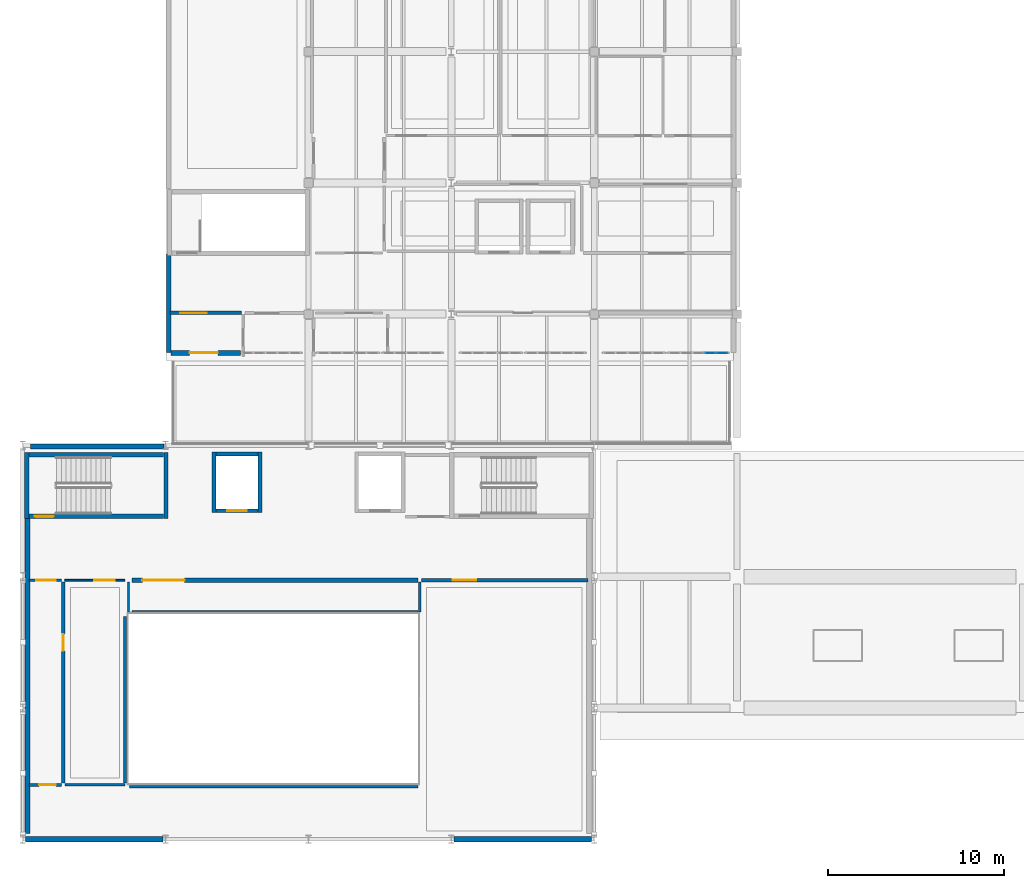
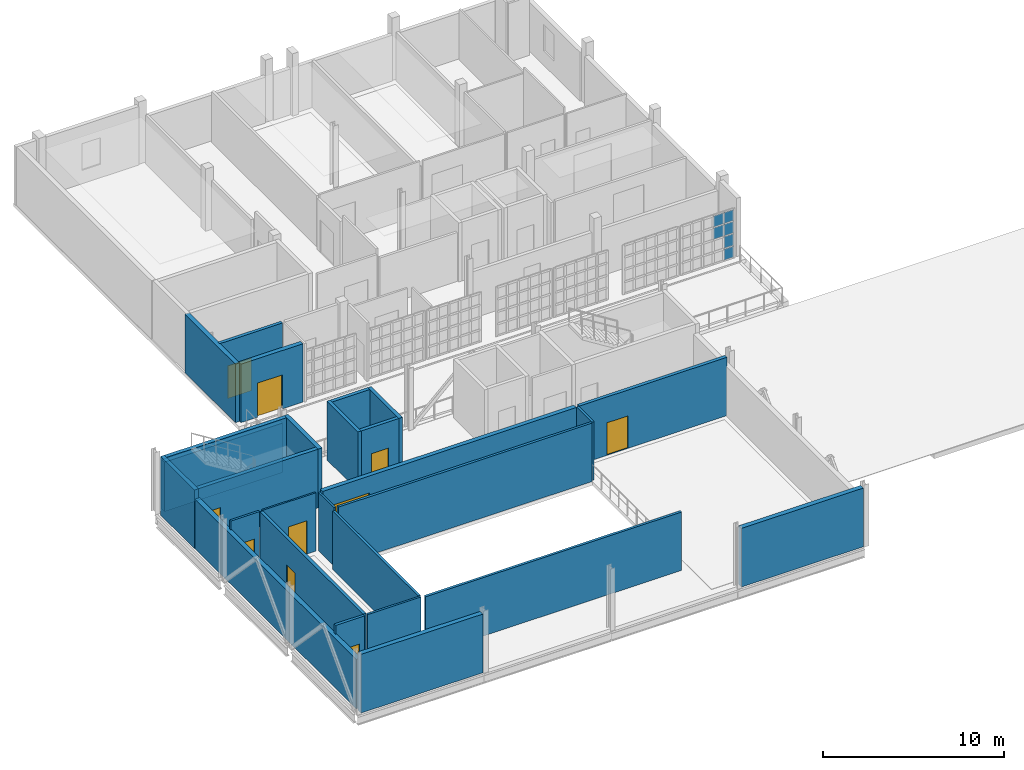
# One storey, part 18 of 25: 27 walls, 10 doors, 6 plates, 10 openings, 1 element without a shape of its own.
"""IFC4 building model written with IfcOpenShell, lengths in metres."""

from ifc_helpers import new_model, si_unit, direction, frame, frame_2d, origin, origin_2d, place, context, subcontext, project, spatial, rectangle, extrude, material, layer, layer_set, type_object, element, fill, aggregate, save


model = new_model("IFC4")

# Units and contexts
model_context = context("Model", 3, precision=1e-05, world=origin(), true_north=direction((0.0, 1.0)))
body_context = subcontext(model_context, "Body", "Model", "MODEL_VIEW")
ifc_project = project(units=[si_unit("LENGTHUNIT", "METRE"), si_unit("AREAUNIT", "SQUARE_METRE"), si_unit("VOLUMEUNIT", "CUBIC_METRE"), si_unit("PLANEANGLEUNIT", "RADIAN"), si_unit("MASSUNIT", "GRAM", prefix="KILO")], contexts=[model_context])

# Site, building, storey
site_placement = place(None, origin())
site = spatial("IfcSite", under=ifc_project, at=site_placement, CompositionType="ELEMENT")
building_placement = place(site_placement, origin())
building = spatial("IfcBuilding", under=site, at=building_placement, Name="Kaelora Sail Theatre", CompositionType="ELEMENT")
storey_placement = place(building_placement, frame((0.0, 0.0, 19.199951171875)))
storey = spatial("IfcBuildingStorey", under=building, at=storey_placement, Name="L04", CompositionType="ELEMENT", Elevation=19.199951171875)

# Curtain wall, plates
ifc_material_1 = material(Name="Anodised aluminium and solar-control low-E IGU", Category="aluminium")
curtain_wall_type = type_object("IfcCurtainWallType", Name="ARC-CW-CW-CLR", PredefinedType="NOTDEFINED", material=ifc_material_1)
curtain_wall_placement = place(storey_placement, origin())
curtain_wall = element("IfcCurtainWall", 1, at=curtain_wall_placement, inside=storey, type_object=curtain_wall_type, Name="Glazed Foyer/Conservatory Curtain Wall NW2-S-L04-07", PredefinedType="NOTDEFINED")
ifc_material_2 = material(Name="Solar-control laminated low-E glass", Category="glass")
ifc_layer_1 = layer(ifc_material_2, 0.031982421875)
ifc_layer_set_1 = layer_set([ifc_layer_1], Name="Solar-control laminated low-E glass")
plate_type = type_object("IfcPlateType", Name="ARC-CW-PNL", PredefinedType="CURTAIN_PANEL", material=ifc_layer_set_1)
plate_1_placement = place(storey_placement, frame((64.780029296875, 88.590087890625, 1.70849609375), z_axis=(0.0, 0.0, 1.0), x_axis=(1.0, 0.0, 0.0)))
plate_1 = element("IfcPlate", 2, at=plate_1_placement, type_object=plate_type, Name="CW-CLR panel 4.3", PredefinedType="CURTAIN_PANEL", context=body_context, shape_type="SweptSolid", body=[
    extrude(rectangle(XDim=0.6201171875, YDim=0.031982421875, at=origin_2d()), origin(), (0.0, 0.0, 1.0), 0.766845703125),
])
plate_2_placement = place(storey_placement, frame((64.780029296875, 88.590087890625, 2.54541015625), z_axis=(0.0, 0.0, 1.0), x_axis=(1.0, 0.0, 0.0)))
plate_2 = element("IfcPlate", 3, at=plate_2_placement, type_object=plate_type, Name="CW-CLR panel 4.4", PredefinedType="CURTAIN_PANEL", context=body_context, shape_type="SweptSolid", body=[
    extrude(rectangle(XDim=0.6201171875, YDim=0.031982421875, at=origin_2d()), origin(), (0.0, 0.0, 1.0), 0.731689453125),
])
plate_3_placement = place(storey_placement, frame((65.445068359375, 88.590087890625, 0.06982421875), z_axis=(0.0, 0.0, 1.0), x_axis=(1.0, 0.0, 0.0)))
plate_3 = element("IfcPlate", 4, at=plate_3_placement, type_object=plate_type, Name="CW-CLR panel 5.1", PredefinedType="CURTAIN_PANEL", context=body_context, shape_type="SweptSolid", body=[
    extrude(rectangle(XDim=0.590087890625, YDim=0.031982421875, at=origin_2d()), origin(), (0.0, 0.0, 1.0), 0.731689453125),
])
plate_4_placement = place(storey_placement, frame((65.445068359375, 88.590087890625, 0.87158203125), z_axis=(0.0, 0.0, 1.0), x_axis=(1.0, 0.0, 0.0)))
plate_4 = element("IfcPlate", 5, at=plate_4_placement, type_object=plate_type, Name="CW-CLR panel 5.2", PredefinedType="CURTAIN_PANEL", context=body_context, shape_type="SweptSolid", body=[
    extrude(rectangle(XDim=0.590087890625, YDim=0.031982421875, at=origin_2d()), origin(), (0.0, 0.0, 1.0), 0.766845703125),
])
plate_5_placement = place(storey_placement, frame((65.445068359375, 88.590087890625, 1.70849609375), z_axis=(0.0, 0.0, 1.0), x_axis=(1.0, 0.0, 0.0)))
plate_5 = element("IfcPlate", 6, at=plate_5_placement, type_object=plate_type, Name="CW-CLR panel 5.3", PredefinedType="CURTAIN_PANEL", context=body_context, shape_type="SweptSolid", body=[
    extrude(rectangle(XDim=0.590087890625, YDim=0.031982421875, at=origin_2d()), origin(), (0.0, 0.0, 1.0), 0.766845703125),
])
plate_6_placement = place(storey_placement, frame((65.445068359375, 88.590087890625, 2.54541015625), z_axis=(0.0, 0.0, 1.0), x_axis=(1.0, 0.0, 0.0)))
plate_6 = element("IfcPlate", 7, at=plate_6_placement, type_object=plate_type, Name="CW-CLR panel 5.4", PredefinedType="CURTAIN_PANEL", context=body_context, shape_type="SweptSolid", body=[
    extrude(rectangle(XDim=0.590087890625, YDim=0.031982421875, at=origin_2d()), origin(), (0.0, 0.0, 1.0), 0.731689453125),
])
aggregate(curtain_wall, [plate_1, plate_2, plate_3, plate_4, plate_5, plate_6])

# Wall, opening, door
ifc_material_3 = material(Name="Concrete C40/50", Category="concrete")
ifc_layer_2 = layer(ifc_material_3, 0.25)
ifc_layer_set_2 = layer_set([ifc_layer_2], Name="Concrete C40/50")
wall_type_1 = type_object("IfcWallType", Name="ARC-WL-CW-250", PredefinedType="SHEAR", material=ifc_layer_set_2)
wall_1_placement = place(storey_placement, frame((26.155029296875, 79.324951171875, 0.0), z_axis=(0.0, 0.0, 1.0), x_axis=(1.0, 0.0, 0.0)))
wall_1 = element("IfcWall", 8, at=wall_1_placement, inside=storey, type_object=wall_type_1, Name="Stair shaft ST-K1 wall L04-S", PredefinedType="SHEAR", context=body_context, shape_type="SweptSolid", body=[
    extrude(rectangle(XDim=7.639892578125, YDim=0.25, at=frame_2d((3.81982421875, 0.0))), origin(), (0.0, 0.0, 1.0), 3.965087890625),
])
opening_1_placement = place(wall_1_placement, frame((0.320068359375, 0.0, 0.0)))
opening_1 = element("IfcOpeningElement", 9, at=opening_1_placement, cuts=wall_1, Name="Opening FD-02", PredefinedType="OPENING", context=body_context, shape_type="SweptSolid", body=[
    extrude(rectangle(XDim=1.10009765625, YDim=2.199951171875, at=frame_2d((0.550048828125, 1.10009765625))), frame((0.0, 0.135, 0.0), z_axis=(0.0, -1.0, 0.0), x_axis=(1.0, 0.0, 0.0)), (0.0, 0.0, 1.0), 0.27),
])
ifc_material_4 = material(Name="Acoustic steel single stair/lobby fire door EI 90-C", Category="steel")
door_type_1 = type_object("IfcDoorType", Name="ARC-DR-FD-02", OperationType="NOTDEFINED", PredefinedType="DOOR", material=ifc_material_4)
door_1_placement = place(opening_1_placement, origin())
door_1 = element("IfcDoor", 10, at=door_1_placement, inside=storey, type_object=door_type_1, Name="Stair ST-K1 door (L04)", OperationType="SINGLE_SWING_LEFT", OverallHeight=2.199951171875, OverallWidth=1.10009765625, PredefinedType="DOOR", context=body_context, shape_type="SweptSolid", body=[
    extrude(rectangle(XDim=1.10009765625, YDim=2.199951171875, at=frame_2d((0.550048828125, 1.10009765625))), frame((0.0, 0.02490234375, 0.0), z_axis=(0.0, -1.0, 0.0), x_axis=(1.0, 0.0, 0.0)), (0.0, 0.0, 1.0), 0.050048828125),
])
fill(opening_1, door_1)

# Walls
wall_2_placement = place(storey_placement, frame((26.155029296875, 82.824951171875, 0.0), z_axis=(0.0, 0.0, 1.0), x_axis=(1.0, 0.0, 0.0)))
element("IfcWall", 11, at=wall_2_placement, inside=storey, type_object=wall_type_1, Name="Stair shaft ST-K1 wall L04-N", PredefinedType="SHEAR", context=body_context, shape_type="SweptSolid", body=[
    extrude(rectangle(XDim=7.639892578125, YDim=0.25, at=frame_2d((3.81982421875, 0.0))), origin(), (0.0, 0.0, 1.0), 3.965087890625),
])
for number, where, z_axis, x_axis, name in (
    (12, (26.02490234375, 79.199951171875, 0.0), (0.0, 0.0, 1.0), (0.0, 1.0, 0.0), "Stair shaft ST-K1 wall L04-W"),
    (13, (33.925048828125, 79.199951171875, 0.0), (0.0, 0.0, 1.0), (0.0, 1.0, 0.0), "Stair shaft ST-K1 wall L04-E"),
):
    element("IfcWall", number, at=place(storey_placement, frame(where, z_axis=z_axis, x_axis=x_axis)), inside=storey, type_object=wall_type_1, Name=name, PredefinedType="SHEAR", context=body_context, shape_type="SweptSolid", body=[
        extrude(rectangle(XDim=3.75, YDim=0.25, at=frame_2d((1.875, 0.0))), origin(), (0.0, 0.0, 1.0), 3.965087890625),
    ])
ifc_material_5 = material(Name="Concrete C45/55", Category="concrete")
ifc_layer_3 = layer(ifc_material_5, 0.300048828125)
ifc_layer_set_3 = layer_set([ifc_layer_3], Name="Concrete C45/55")
wall_type_2 = type_object("IfcWallType", Name="ARC-WL-CW-300", PredefinedType="SHEAR", material=ifc_layer_set_3)
for number, where, z_axis, x_axis, name in (
    (14, (25.951904296875, 61.02001953125, 0.0), (0.0, 0.0, 1.0), (1.0, 0.0, 0.0), "Proscenium fire wall L04-W"),
    (15, (50.251953125, 61.02001953125, 0.0), (0.0, 0.0, 1.0), (1.0, 0.0, 0.0), "Proscenium fire wall L04-E"),
):
    element("IfcWall", number, at=place(storey_placement, frame(where, z_axis=z_axis, x_axis=x_axis)), inside=storey, type_object=wall_type_2, Name=name, PredefinedType="SHEAR", context=body_context, shape_type="SweptSolid", body=[
        extrude(rectangle(XDim=7.796142578125, YDim=0.300048828125, at=frame_2d((3.89794921875, 0.0))), origin(), (0.0, 0.0, 1.0), 3.965087890625),
    ])

# Wall, opening, door
ifc_material_6 = material(Name="Precast concrete C45/55", Category="concrete")
ifc_layer_4 = layer(ifc_material_6, 0.280029296875)
ifc_layer_set_4 = layer_set([ifc_layer_4], Name="Precast concrete C45/55")
wall_type_3 = type_object("IfcWallType", Name="ARC-WL-EW-280", PredefinedType="SOLIDWALL", material=ifc_layer_set_4)
wall_3_placement = place(storey_placement, frame((34.2099609375, 88.590087890625, 0.0), z_axis=(0.0, 0.0, 1.0), x_axis=(1.0, 0.0, 0.0)))
wall_3 = element("IfcWall", 16, at=wall_3_placement, inside=storey, type_object=wall_type_3, Name="Artistic Direction Terrace TR-S5W Access Wall", PredefinedType="SOLIDWALL", context=body_context, shape_type="SweptSolid", body=[
    extrude(rectangle(XDim=3.949951171875, YDim=0.280029296875, at=frame_2d((1.97509765625, 0.0))), origin(), (0.0, 0.0, 1.0), 3.945068359375),
])
opening_2_placement = place(wall_3_placement, frame((1.050048828125, 0.0, 0.0)))
opening_2 = element("IfcOpeningElement", 17, at=opening_2_placement, cuts=wall_3, Name="Opening ED-05", PredefinedType="OPENING", context=body_context, shape_type="SweptSolid", body=[
    extrude(rectangle(XDim=1.60009765625, YDim=2.300048828125, at=frame_2d((0.800048828125, 1.14990234375))), frame((0.0, 0.150137, 0.0), z_axis=(0.0, -1.0, 0.0), x_axis=(1.0, 0.0, 0.0)), (0.0, 0.0, 1.0), 0.300029),
])
ifc_material_7 = material(Name="Terrace glazed double swing door", Category="aluminium")
door_type_2 = type_object("IfcDoorType", Name="ARC-DR-ED-05", OperationType="NOTDEFINED", PredefinedType="DOOR", material=ifc_material_7)
door_2_placement = place(opening_2_placement, origin())
door_2 = element("IfcDoor", 18, at=door_2_placement, inside=storey, type_object=door_type_2, Name="Artistic Direction Terrace TR-S5W Access Wall Door", OperationType="DOUBLE_DOOR_SINGLE_SWING", OverallHeight=2.300048828125, OverallWidth=1.60009765625, PredefinedType="DOOR", context=body_context, shape_type="SweptSolid", body=[
    extrude(rectangle(XDim=1.60009765625, YDim=2.300048828125, at=frame_2d((0.800048828125, 1.14990234375))), frame((0.0, 0.02490234375, 0.0), z_axis=(0.0, -1.0, 0.0), x_axis=(1.0, 0.0, 0.0)), (0.0, 0.0, 1.0), 0.050048828125),
])
fill(opening_2, door_2)

# Walls
wall_4_placement = place(storey_placement, frame((34.080078125, 88.60009765625, 0.0), z_axis=(0.0, 0.0, 1.0), x_axis=(0.0, 1.0, 0.0)))
element("IfcWall", 19, at=wall_4_placement, inside=storey, type_object=wall_type_3, Name="Stepped Wing Facade Wall STEP-NW2-WS-L04", PredefinedType="SOLIDWALL", context=body_context, shape_type="SweptSolid", body=[
    extrude(rectangle(XDim=5.599853515625, YDim=0.280029296875, at=frame_2d((2.7998046875, 0.0))), origin(), (0.0, 0.0, 1.0), 3.945068359375),
])
ifc_material_8 = material(Name="Concrete C40/50", Category="concrete")
ifc_layer_5 = layer(ifc_material_8, 0.300048828125)
ifc_layer_set_5 = layer_set([ifc_layer_5], Name="Concrete C40/50")
wall_type_4 = type_object("IfcWallType", Name="ARC-WL-EW-300", PredefinedType="SOLIDWALL", material=ifc_layer_set_5)
wall_5_placement = place(storey_placement, frame((26.080078125, 61.35009765625, 0.0), z_axis=(0.0, 0.0, 1.0), x_axis=(0.0, 1.0, 0.0)))
element("IfcWall", 20, at=wall_5_placement, inside=storey, type_object=wall_type_4, Name="Fly Tower West Acoustic Stage-House Wall (L04)", PredefinedType="SOLIDWALL", context=body_context, shape_type="SweptSolid", body=[
    extrude(rectangle(XDim=17.949951171875, YDim=0.300048828125, at=frame_2d((8.97509765625, 0.0))), origin(), (0.0, 0.0, 1.0), 3.344970703125),
])
wall_6_placement = place(storey_placement, frame((26.25, 83.280029296875, 0.0), z_axis=(0.0, 0.0, 1.0), x_axis=(1.0, 0.0, 0.0)))
element("IfcWall", 21, at=wall_6_placement, inside=storey, type_object=wall_type_4, Name="Fly Tower NW Step Closure Wall (L04)", PredefinedType="SOLIDWALL", context=body_context, shape_type="SweptSolid", body=[
    extrude(rectangle(XDim=7.550048828125, YDim=0.300048828125, at=frame_2d((3.77490234375, 0.0))), origin(), (0.0, 0.0, 1.0), 3.344970703125),
])
ifc_material_9 = material(Name="Demountable acoustic studio wall 150 mm", Category="timber")
ifc_layer_6 = layer(ifc_material_9, 0.14990234375)
ifc_layer_set_6 = layer_set([ifc_layer_6], Name="Demountable acoustic studio wall 150 mm")
wall_type_5 = type_object("IfcWallType", Name="ARC-WL-MV-150", PredefinedType="MOVABLE", material=ifc_layer_set_6)
wall_7_placement = place(storey_placement, frame((48.300048828125, 73.89990234375, 0.0), z_axis=(0.0, 0.0, 1.0), x_axis=(0.0, 1.0, 0.0)))
element("IfcWall", 22, at=wall_7_placement, inside=storey, type_object=wall_type_5, Name="Interior acoustic partition L04-FLY-EAST/L04-FLY-NORTH4", PredefinedType="MOVABLE", context=body_context, shape_type="SweptSolid", body=[
    extrude(rectangle(XDim=1.7001953125, YDim=0.14990234375, at=frame_2d((0.85009765625, 0.0))), origin(), (0.0, 0.0, 1.0), 3.945068359375),
])

# Wall, opening, door
ifc_material_10 = material(Name="Office acoustic stud partition 110 mm", Category="gypsum")
ifc_layer_7 = layer(ifc_material_10, 0.110107421875)
ifc_layer_set_7 = layer_set([ifc_layer_7], Name="Office acoustic stud partition 110 mm")
wall_type_6 = type_object("IfcWallType", Name="ARC-WL-PT-110", PredefinedType="PARTITIONING", material=ifc_layer_set_7)
wall_8_placement = place(storey_placement, frame((28.199951171875, 75.699951171875, 0.0), z_axis=(0.0, 0.0, 1.0), x_axis=(1.0, 0.0, 0.0)))
wall_8 = element("IfcWall", 23, at=wall_8_placement, inside=storey, type_object=wall_type_6, Name="Interior acoustic partition L04-FLY-WEST4/L04-COR-FLY", PredefinedType="PARTITIONING", context=body_context, shape_type="SweptSolid", body=[
    extrude(rectangle(XDim=3.400146484375, YDim=0.110107421875, at=frame_2d((1.7001953125, 0.0))), origin(), (0.0, 0.0, 1.0), 3.945068359375),
])
opening_3_placement = place(wall_8_placement, frame((1.669921875, 0.0, 0.0)))
opening_3 = element("IfcOpeningElement", 24, at=opening_3_placement, cuts=wall_8, Name="Opening ID-07", PredefinedType="OPENING", context=body_context, shape_type="SweptSolid", body=[
    extrude(rectangle(XDim=1.14990234375, YDim=2.25, at=frame_2d((0.574951171875, 1.125))), frame((0.0, 0.065176, 0.0), z_axis=(0.0, -1.0, 0.0), x_axis=(1.0, 0.0, 0.0)), (0.0, 0.0, 1.0), 0.130107),
])
ifc_material_11 = material(Name="Chorus ensemble wide single door", Category="steel")
door_type_3 = type_object("IfcDoorType", Name="ARC-DR-ID-07", OperationType="NOTDEFINED", PredefinedType="DOOR", material=ifc_material_11)
door_3_placement = place(opening_3_placement, origin())
door_3 = element("IfcDoor", 25, at=door_3_placement, inside=storey, type_object=door_type_3, Name="Interior door L04-FLY-WEST4 to L04-COR-FLY", OperationType="SINGLE_SWING_RIGHT", OverallHeight=2.25, OverallWidth=1.14990234375, PredefinedType="DOOR", context=body_context, shape_type="SweptSolid", body=[
    extrude(rectangle(XDim=1.14990234375, YDim=2.25, at=frame_2d((0.574951171875, 1.125))), frame((0.0, 0.02490234375, 0.0), z_axis=(0.0, -1.0, 0.0), x_axis=(1.0, 0.0, 0.0)), (0.0, 0.0, 1.0), 0.050048828125),
])
fill(opening_3, door_3)

# Walls
ifc_material_12 = material(Name="Standard metal-stud partition 120 mm", Category="gypsum")
ifc_layer_8 = layer(ifc_material_12, 0.1201171875)
ifc_layer_set_8 = layer_set([ifc_layer_8], Name="Standard metal-stud partition 120 mm")
wall_type_7 = type_object("IfcWallType", Name="ARC-WL-PT-120", PredefinedType="PARTITIONING", material=ifc_layer_set_8)
wall_9_placement = place(storey_placement, frame((31.800048828125, 73.89990234375, 0.0), z_axis=(0.0, 0.0, 1.0), x_axis=(0.0, 1.0, 0.0)))
element("IfcWall", 26, at=wall_9_placement, inside=storey, type_object=wall_type_7, Name="Interior acoustic partition L04-FLY-WEST4/L04-FLY-NORTH4", PredefinedType="PARTITIONING", context=body_context, shape_type="SweptSolid", body=[
    extrude(rectangle(XDim=1.7001953125, YDim=0.1201171875, at=frame_2d((0.85009765625, 0.0))), origin(), (0.0, 0.0, 1.0), 3.945068359375),
])
ifc_material_13 = material(Name="Dressing room acoustic partition 130 mm", Category="gypsum")
ifc_layer_9 = layer(ifc_material_13, 0.1298828125)
ifc_layer_set_9 = layer_set([ifc_layer_9], Name="Dressing room acoustic partition 130 mm")
wall_type_8 = type_object("IfcWallType", Name="ARC-WL-PT-130", PredefinedType="PARTITIONING", material=ifc_layer_set_9)
wall_10_placement = place(storey_placement, frame((28.199951171875, 64.10009765625, 0.0), z_axis=(0.0, 0.0, 1.0), x_axis=(1.0, 0.0, 0.0)))
element("IfcWall", 27, at=wall_10_placement, inside=storey, type_object=wall_type_8, Name="Interior acoustic partition L04-FLY-WEST4/L04-FLY-SOUTH4", PredefinedType="PARTITIONING", context=body_context, shape_type="SweptSolid", body=[
    extrude(rectangle(XDim=3.400146484375, YDim=0.1298828125, at=frame_2d((1.7001953125, 0.0))), origin(), (0.0, 0.0, 1.0), 3.945068359375),
])

# Wall, opening, door
ifc_material_14 = material(Name="Fire-rated stud partition 140 mm", Category="gypsum")
ifc_layer_10 = layer(ifc_material_14, 0.139892578125)
ifc_layer_set_10 = layer_set([ifc_layer_10], Name="Fire-rated stud partition 140 mm")
wall_type_9 = type_object("IfcWallType", Name="ARC-WL-PT-140", PredefinedType="PARTITIONING", material=ifc_layer_set_10)
wall_11_placement = place(storey_placement, frame((26.159912109375, 75.699951171875, 0.0), z_axis=(0.0, 0.0, 1.0), x_axis=(1.0, 0.0, 0.0)))
wall_11 = element("IfcWall", 28, at=wall_11_placement, inside=storey, type_object=wall_type_9, Name="Interior acoustic partition L04-FLY-WCH/L04-COR-FLY", PredefinedType="PARTITIONING", context=body_context, shape_type="SweptSolid", body=[
    extrude(rectangle(XDim=1.840087890625, YDim=0.139892578125, at=frame_2d((0.919921875, 0.0))), origin(), (0.0, 0.0, 1.0), 3.945068359375),
])
opening_4_placement = place(wall_11_placement, frame((0.419921875, 0.0, 0.0)))
opening_4 = element("IfcOpeningElement", 29, at=opening_4_placement, cuts=wall_11, Name="Opening FD-02", PredefinedType="OPENING", context=body_context, shape_type="SweptSolid", body=[
    extrude(rectangle(XDim=1.10009765625, YDim=2.199951171875, at=frame_2d((0.550048828125, 1.10009765625))), frame((0.0, 0.079824, 0.0), z_axis=(0.0, -1.0, 0.0), x_axis=(1.0, 0.0, 0.0)), (0.0, 0.0, 1.0), 0.159893),
])
door_4_placement = place(opening_4_placement, origin())
door_4 = element("IfcDoor", 30, at=door_4_placement, inside=storey, type_object=door_type_1, Name="Interior door L04-FLY-WCH to L04-COR-FLY", OperationType="SINGLE_SWING_RIGHT", OverallHeight=2.199951171875, OverallWidth=1.10009765625, PredefinedType="DOOR", context=body_context, shape_type="SweptSolid", body=[
    extrude(rectangle(XDim=1.10009765625, YDim=2.199951171875, at=frame_2d((0.550048828125, 1.10009765625))), frame((0.0, 0.02490234375, 0.0), z_axis=(0.0, -1.0, 0.0), x_axis=(1.0, 0.0, 0.0)), (0.0, 0.0, 1.0), 0.050048828125),
])
fill(opening_4, door_4)

# Walls
ifc_material_15 = material(Name="Acoustic metal-stud plasterboard 160 mm", Category="gypsum")
ifc_layer_11 = layer(ifc_material_15, 0.159912109375)
ifc_layer_set_11 = layer_set([ifc_layer_11], Name="Acoustic metal-stud plasterboard 160 mm")
wall_type_10 = type_object("IfcWallType", Name="ARC-WL-PT-160", PredefinedType="PARTITIONING", material=ifc_layer_set_11)
wall_12_placement = place(storey_placement, frame((31.60009765625, 64.199951171875, 0.0), z_axis=(0.0, 0.0, 1.0), x_axis=(0.0, 1.0, 0.0)))
element("IfcWall", 31, at=wall_12_placement, inside=storey, type_object=wall_type_10, Name="Room enclosure wall L04-FLY-WEST4-E1", PredefinedType="PARTITIONING", context=body_context, shape_type="SweptSolid", body=[
    extrude(rectangle(XDim=9.449951171875, YDim=0.159912109375, at=frame_2d((4.72509765625, 0.0))), origin(), (0.0, 0.0, 1.0), 3.945068359375),
])
wall_13_placement = place(storey_placement, frame((31.85009765625, 64.0, 0.0), z_axis=(0.0, 0.0, 1.0), x_axis=(1.0, 0.0, 0.0)))
element("IfcWall", 32, at=wall_13_placement, inside=storey, type_object=wall_type_10, Name="Room enclosure wall L04-FLY-SOUTH4-N1", PredefinedType="PARTITIONING", context=body_context, shape_type="SweptSolid", body=[
    extrude(rectangle(XDim=16.349853515625, YDim=0.159912109375, at=frame_2d((8.1748046875, 0.0))), origin(), (0.0, 0.0, 1.0), 3.945068359375),
])
wall_14_placement = place(storey_placement, frame((32.0, 73.89990234375, 0.0), z_axis=(0.0, 0.0, 1.0), x_axis=(1.0, 0.0, 0.0)))
element("IfcWall", 33, at=wall_14_placement, inside=storey, type_object=wall_type_10, Name="Room enclosure wall L04-FLY-NORTH4-S1", PredefinedType="PARTITIONING", context=body_context, shape_type="SweptSolid", body=[
    extrude(rectangle(XDim=16.199951171875, YDim=0.159912109375, at=frame_2d((8.10009765625, 0.0))), origin(), (0.0, 0.0, 1.0), 3.945068359375),
])

# Wall, opening, door
ifc_material_16 = material(Name="Workshop acoustic stud partition 170 mm", Category="gypsum")
ifc_layer_12 = layer(ifc_material_16, 0.169921875)
ifc_layer_set_12 = layer_set([ifc_layer_12], Name="Workshop acoustic stud partition 170 mm")
wall_type_11 = type_object("IfcWallType", Name="ARC-WL-PT-170", PredefinedType="PARTITIONING", material=ifc_layer_set_12)
wall_15_placement = place(storey_placement, frame((26.159912109375, 64.10009765625, 0.0), z_axis=(0.0, 0.0, 1.0), x_axis=(1.0, 0.0, 0.0)))
wall_15 = element("IfcWall", 34, at=wall_15_placement, inside=storey, type_object=wall_type_11, Name="Interior acoustic partition L04-FLY-WCH/L04-FLY-SOUTH4", PredefinedType="PARTITIONING", context=body_context, shape_type="SweptSolid", body=[
    extrude(rectangle(XDim=1.840087890625, YDim=0.169921875, at=frame_2d((0.919921875, 0.0))), origin(), (0.0, 0.0, 1.0), 3.945068359375),
])
opening_5_placement = place(wall_15_placement, frame((0.570068359375, 0.0, 0.0)))
opening_5 = element("IfcOpeningElement", 35, at=opening_5_placement, cuts=wall_15, Name="Opening ID-02", PredefinedType="OPENING", context=body_context, shape_type="SweptSolid", body=[
    extrude(rectangle(XDim=0.949951171875, YDim=2.14990234375, at=frame_2d((0.47509765625, 1.074951171875))), frame((0.0, 0.094961, 0.0), z_axis=(0.0, -1.0, 0.0), x_axis=(1.0, 0.0, 0.0)), (0.0, 0.0, 1.0), 0.189922),
])
ifc_material_17 = material(Name="Timber dressing and office single door", Category="wood")
door_type_4 = type_object("IfcDoorType", Name="ARC-DR-ID-02", OperationType="NOTDEFINED", PredefinedType="DOOR", material=ifc_material_17)
door_5_placement = place(opening_5_placement, origin())
door_5 = element("IfcDoor", 36, at=door_5_placement, inside=storey, type_object=door_type_4, Name="Interior door L04-FLY-WCH to L04-FLY-SOUTH4", OperationType="SINGLE_SWING_RIGHT", OverallHeight=2.14990234375, OverallWidth=0.949951171875, PredefinedType="DOOR", context=body_context, shape_type="SweptSolid", body=[
    extrude(rectangle(XDim=0.949951171875, YDim=2.14990234375, at=frame_2d((0.47509765625, 1.074951171875))), frame((0.0, 0.02490234375, 0.0), z_axis=(0.0, -1.0, 0.0), x_axis=(1.0, 0.0, 0.0)), (0.0, 0.0, 1.0), 0.050048828125),
])
fill(opening_5, door_5)

ifc_material_18 = material(Name="Acoustic double-stud plasterboard 200 mm", Category="gypsum")
ifc_layer_13 = layer(ifc_material_18, 0.199951171875)
ifc_layer_set_13 = layer_set([ifc_layer_13], Name="Acoustic double-stud plasterboard 200 mm")
wall_type_12 = type_object("IfcWallType", Name="ARC-WL-PT-200", PredefinedType="PARTITIONING", material=ifc_layer_set_13)
wall_16_placement = place(storey_placement, frame((28.10009765625, 64.199951171875, 0.0), z_axis=(0.0, 0.0, 1.0), x_axis=(0.0, 1.0, 0.0)))
wall_16 = element("IfcWall", 37, at=wall_16_placement, inside=storey, type_object=wall_type_12, Name="Interior acoustic partition L04-FLY-WCH/L04-FLY-WEST4", PredefinedType="PARTITIONING", context=body_context, shape_type="SweptSolid", body=[
    extrude(rectangle(XDim=11.400146484375, YDim=0.199951171875, at=frame_2d((5.7001953125, 0.0))), origin(), (0.0, 0.0, 1.0), 3.945068359375),
])
opening_6_placement = place(wall_16_placement, frame((7.498046875, 0.0, 0.0)))
opening_6 = element("IfcOpeningElement", 38, at=opening_6_placement, cuts=wall_16, Name="Opening ID-02", PredefinedType="OPENING", context=body_context, shape_type="SweptSolid", body=[
    extrude(rectangle(XDim=0.949951171875, YDim=2.14990234375, at=frame_2d((0.47509765625, 1.074951171875))), frame((0.0, 0.110098, 0.0), z_axis=(0.0, -1.0, 0.0), x_axis=(1.0, 0.0, 0.0)), (0.0, 0.0, 1.0), 0.219951),
])
door_6_placement = place(opening_6_placement, origin())
door_6 = element("IfcDoor", 39, at=door_6_placement, inside=storey, type_object=door_type_4, Name="Interior door L04-FLY-WCH to L04-FLY-WEST4", OperationType="SINGLE_SWING_LEFT", OverallHeight=2.14990234375, OverallWidth=0.949951171875, PredefinedType="DOOR", context=body_context, shape_type="SweptSolid", body=[
    extrude(rectangle(XDim=0.949951171875, YDim=2.14990234375, at=frame_2d((0.47509765625, 1.074951171875))), frame((0.0, 0.02490234375, 0.0), z_axis=(0.0, -1.0, 0.0), x_axis=(1.0, 0.0, 0.0)), (0.0, 0.0, 1.0), 0.050048828125),
])
fill(opening_6, door_6)

wall_17_placement = place(storey_placement, frame((34.159912109375, 90.85009765625, 0.0), z_axis=(0.0, 0.0, 1.0), x_axis=(1.0, 0.0, 0.0)))
wall_17 = element("IfcWall", 40, at=wall_17_placement, inside=storey, type_object=wall_type_12, Name="Interior acoustic partition L04-COR-ADMIN/L04-COR-TER5", PredefinedType="PARTITIONING", context=body_context, shape_type="SweptSolid", body=[
    extrude(rectangle(XDim=4.0400390625, YDim=0.199951171875, at=frame_2d((2.02001953125, 0.0))), origin(), (0.0, 0.0, 1.0), 3.945068359375),
])
opening_7_placement = place(wall_17_placement, frame((0.580078125, 0.0, 0.0)))
opening_7 = element("IfcOpeningElement", 41, at=opening_7_placement, cuts=wall_17, Name="Opening FD-01", PredefinedType="OPENING", context=body_context, shape_type="SweptSolid", body=[
    extrude(rectangle(XDim=1.5, YDim=2.199951171875, at=frame_2d((0.75, 1.10009765625))), frame((0.0, 0.110098, 0.0), z_axis=(0.0, -1.0, 0.0), x_axis=(1.0, 0.0, 0.0)), (0.0, 0.0, 1.0), 0.219951),
])
ifc_material_19 = material(Name="Acoustic steel double fire door EI 90-C", Category="steel")
door_type_5 = type_object("IfcDoorType", Name="ARC-DR-FD-01", OperationType="NOTDEFINED", PredefinedType="DOOR", material=ifc_material_19)
door_7_placement = place(opening_7_placement, origin())
door_7 = element("IfcDoor", 42, at=door_7_placement, inside=storey, type_object=door_type_5, Name="Interior door L04-COR-ADMIN to L04-COR-TER5", OperationType="DOUBLE_DOOR_SINGLE_SWING", OverallHeight=2.199951171875, OverallWidth=1.5, PredefinedType="DOOR", context=body_context, shape_type="SweptSolid", body=[
    extrude(rectangle(XDim=1.5, YDim=2.199951171875, at=frame_2d((0.75, 1.10009765625))), frame((0.0, 0.02490234375, 0.0), z_axis=(0.0, -1.0, 0.0), x_axis=(1.0, 0.0, 0.0)), (0.0, 0.0, 1.0), 0.050048828125),
])
fill(opening_7, door_7)

ifc_material_20 = material(Name="Studio box-in-box acoustic partition 215 mm", Category="gypsum")
ifc_layer_14 = layer(ifc_material_20, 0.215087890625)
ifc_layer_set_14 = layer_set([ifc_layer_14], Name="Studio box-in-box acoustic partition 215 mm")
wall_type_13 = type_object("IfcWallType", Name="ARC-WL-PT-215", PredefinedType="PARTITIONING", material=ifc_layer_set_14)
wall_18_placement = place(storey_placement, frame((48.39990234375, 75.699951171875, 0.0), z_axis=(0.0, 0.0, 1.0), x_axis=(1.0, 0.0, 0.0)))
wall_18 = element("IfcWall", 43, at=wall_18_placement, inside=storey, type_object=wall_type_13, Name="Interior acoustic partition L04-FLY-EAST/L04-COR-FLY", PredefinedType="PARTITIONING", context=body_context, shape_type="SweptSolid", body=[
    extrude(rectangle(XDim=9.440185546875, YDim=0.215087890625, at=frame_2d((4.72021484375, 0.0))), origin(), (0.0, 0.0, 1.0), 3.945068359375),
])
opening_8_placement = place(wall_18_placement, frame((1.76806640625, 0.0, 0.0)))
opening_8 = element("IfcOpeningElement", 44, at=opening_8_placement, cuts=wall_18, Name="Opening ID-08", PredefinedType="OPENING", context=body_context, shape_type="SweptSolid", body=[
    extrude(rectangle(XDim=1.35009765625, YDim=2.199951171875, at=frame_2d((0.675048828125, 1.10009765625))), frame((0.0, 0.117422, 0.0), z_axis=(0.0, -1.0, 0.0), x_axis=(1.0, 0.0, 0.0)), (0.0, 0.0, 1.0), 0.235088),
])
ifc_material_21 = material(Name="Instrument & libretto leaf-and-a-half door", Category="steel")
door_type_6 = type_object("IfcDoorType", Name="ARC-DR-ID-08", OperationType="NOTDEFINED", PredefinedType="DOOR", material=ifc_material_21)
door_8_placement = place(opening_8_placement, origin())
door_8 = element("IfcDoor", 45, at=door_8_placement, inside=storey, type_object=door_type_6, Name="Interior door L04-FLY-EAST to L04-COR-FLY", OperationType="SINGLE_SWING_LEFT", OverallHeight=2.199951171875, OverallWidth=1.35009765625, PredefinedType="DOOR", context=body_context, shape_type="SweptSolid", body=[
    extrude(rectangle(XDim=1.35009765625, YDim=2.199951171875, at=frame_2d((0.675048828125, 1.10009765625))), frame((0.0, 0.02490234375, 0.0), z_axis=(0.0, -1.0, 0.0), x_axis=(1.0, 0.0, 0.0)), (0.0, 0.0, 1.0), 0.050048828125),
])
fill(opening_8, door_8)

ifc_material_22 = material(Name="Concrete C45/55", Category="concrete")
ifc_layer_15 = layer(ifc_material_22, 0.27001953125)
ifc_layer_set_15 = layer_set([ifc_layer_15], Name="Concrete C45/55")
wall_type_14 = type_object("IfcWallType", Name="ARC-WL-PW-270", PredefinedType="SOLIDWALL", material=ifc_layer_set_15)
wall_19_placement = place(storey_placement, frame((32.0, 75.699951171875, 0.0), z_axis=(0.0, 0.0, 1.0), x_axis=(1.0, 0.0, 0.0)))
wall_19 = element("IfcWall", 46, at=wall_19_placement, inside=storey, type_object=wall_type_14, Name="Interior acoustic partition L04-FLY-NORTH4/L04-COR-FLY", PredefinedType="SOLIDWALL", context=body_context, shape_type="SweptSolid", body=[
    extrude(rectangle(XDim=16.199951171875, YDim=0.27001953125, at=frame_2d((8.10009765625, 0.0))), origin(), (0.0, 0.0, 1.0), 3.945068359375),
])
opening_9_placement = place(wall_19_placement, frame((0.580078125, 0.0, 0.0)))
opening_9 = element("IfcOpeningElement", 47, at=opening_9_placement, cuts=wall_19, Name="Opening ID-05", PredefinedType="OPENING", context=body_context, shape_type="SweptSolid", body=[
    extrude(rectangle(XDim=2.39990234375, YDim=2.800048828125, at=frame_2d((1.199951171875, 1.39990234375))), frame((0.0, 0.14501, 0.0), z_axis=(0.0, -1.0, 0.0), x_axis=(1.0, 0.0, 0.0)), (0.0, 0.0, 1.0), 0.29002),
])
ifc_material_23 = material(Name="Scenery workshop oversize acoustic double door", Category="steel")
door_type_7 = type_object("IfcDoorType", Name="ARC-DR-ID-05", OperationType="NOTDEFINED", PredefinedType="DOOR", material=ifc_material_23)
door_9_placement = place(opening_9_placement, origin())
door_9 = element("IfcDoor", 48, at=door_9_placement, inside=storey, type_object=door_type_7, Name="Interior door L04-FLY-NORTH4 to L04-COR-FLY", OperationType="DOUBLE_DOOR_SINGLE_SWING", OverallHeight=2.800048828125, OverallWidth=2.39990234375, PredefinedType="DOOR", context=body_context, shape_type="SweptSolid", body=[
    extrude(rectangle(XDim=2.39990234375, YDim=2.800048828125, at=frame_2d((1.199951171875, 1.39990234375))), frame((0.0, 0.02490234375, 0.0), z_axis=(0.0, -1.0, 0.0), x_axis=(1.0, 0.0, 0.0)), (0.0, 0.0, 1.0), 0.050048828125),
])
fill(opening_9, door_9)

ifc_material_24 = material(Name="Concrete C40/50", Category="concrete")
ifc_layer_16 = layer(ifc_material_24, 0.219970703125)
ifc_layer_set_16 = layer_set([ifc_layer_16], Name="Concrete C40/50")
wall_type_15 = type_object("IfcWallType", Name="ARC-WL-SW-220", PredefinedType="SOLIDWALL", material=ifc_layer_set_16)
wall_20_placement = place(storey_placement, frame((36.75, 79.639892578125, 0.0), z_axis=(0.0, 0.0, 1.0), x_axis=(1.0, 0.0, 0.0)))
wall_20 = element("IfcWall", 49, at=wall_20_placement, inside=storey, type_object=wall_type_15, Name="Lift FFL-01 shaft wall L04-S", PredefinedType="SOLIDWALL", context=body_context, shape_type="SweptSolid", body=[
    extrude(rectangle(XDim=2.39990234375, YDim=0.219970703125, at=frame_2d((1.199951171875, 0.0))), origin(), (0.0, 0.0, 1.0), 3.965087890625),
])
opening_10_placement = place(wall_20_placement, frame((0.64990234375, 0.0, 0.0)))
opening_10 = element("IfcOpeningElement", 50, at=opening_10_placement, cuts=wall_20, Name="Opening LD-FFL", PredefinedType="OPENING", context=body_context, shape_type="SweptSolid", body=[
    extrude(rectangle(XDim=1.10009765625, YDim=2.199951171875, at=frame_2d((0.550048828125, 1.10009765625))), frame((0.0, 0.119863, 0.0), z_axis=(0.0, -1.0, 0.0), x_axis=(1.0, 0.0, 0.0)), (0.0, 0.0, 1.0), 0.239971),
])
ifc_material_25 = material(Name="Stainless steel firefighting lift landing door EI 120", Category="steel")
door_type_8 = type_object("IfcDoorType", Name="ARC-DR-LD-FFL", OperationType="NOTDEFINED", PredefinedType="DOOR", material=ifc_material_25)
door_10_placement = place(opening_10_placement, origin())
door_10 = element("IfcDoor", 51, at=door_10_placement, inside=storey, type_object=door_type_8, Name="Lift FFL-01 sliding landing door (L04)", OperationType="SLIDING_TO_LEFT", OverallHeight=2.199951171875, OverallWidth=1.10009765625, PredefinedType="DOOR", context=body_context, shape_type="SweptSolid", body=[
    extrude(rectangle(XDim=1.10009765625, YDim=2.199951171875, at=frame_2d((0.550048828125, 1.10009765625))), frame((0.0, 0.02490234375, 0.0), z_axis=(0.0, -1.0, 0.0), x_axis=(1.0, 0.0, 0.0)), (0.0, 0.0, 1.0), 0.050048828125),
])
fill(opening_10, door_10)

# Walls
wall_21_placement = place(storey_placement, frame((36.75, 82.860107421875, 0.0), z_axis=(0.0, 0.0, 1.0), x_axis=(1.0, 0.0, 0.0)))
element("IfcWall", 52, at=wall_21_placement, inside=storey, type_object=wall_type_15, Name="Lift FFL-01 shaft wall L04-N", PredefinedType="SOLIDWALL", context=body_context, shape_type="SweptSolid", body=[
    extrude(rectangle(XDim=2.39990234375, YDim=0.219970703125, at=frame_2d((1.199951171875, 0.0))), origin(), (0.0, 0.0, 1.0), 3.965087890625),
])
for number, where, z_axis, x_axis, name in (
    (53, (36.639892578125, 79.530029296875, 0.0), (0.0, 0.0, 1.0), (0.0, 1.0, 0.0), "Lift FFL-01 shaft wall L04-W"),
    (54, (39.260009765625, 79.530029296875, 0.0), (0.0, 0.0, 1.0), (0.0, 1.0, 0.0), "Lift FFL-01 shaft wall L04-E"),
):
    element("IfcWall", number, at=place(storey_placement, frame(where, z_axis=z_axis, x_axis=x_axis)), inside=storey, type_object=wall_type_15, Name=name, PredefinedType="SOLIDWALL", context=body_context, shape_type="SweptSolid", body=[
        extrude(rectangle(XDim=3.43994140625, YDim=0.219970703125, at=frame_2d((1.719970703125, 0.0))), origin(), (0.0, 0.0, 1.0), 3.965087890625),
    ])

save(model, "model.ifc")
